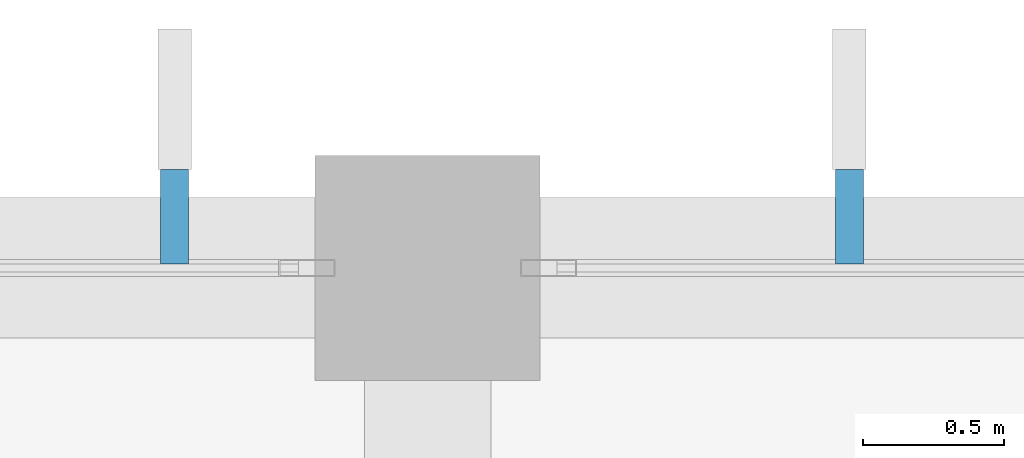
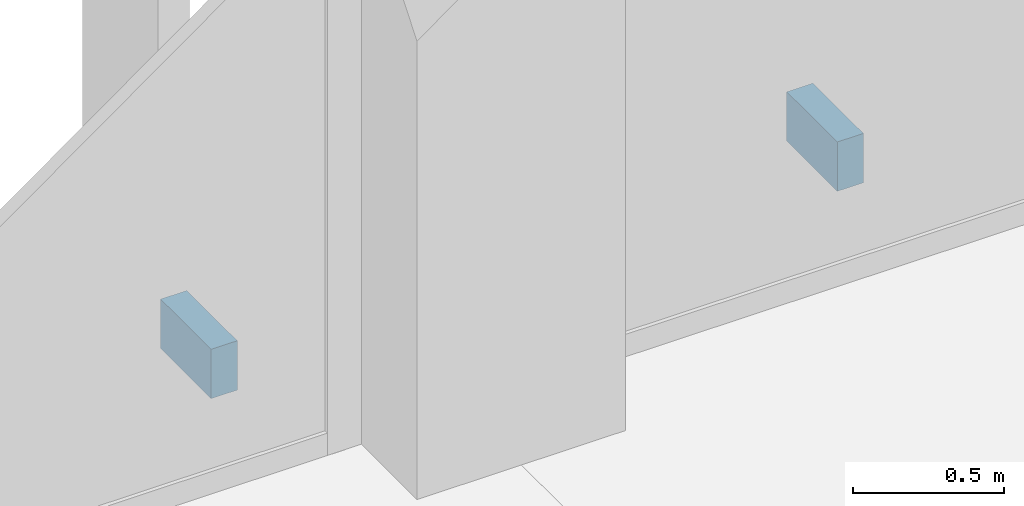
# One storey, part 403 of 437: 2 discrete accessories.
"""IFC4 building model written with IfcOpenShell, lengths in metres."""

import ifcopenshell
import ifcopenshell.guid

model = None  # the IFC model being written
_history = None  # IfcOwnerHistory: only IFC2X3 demands one
_inside = {}  # id of a spatial element -> (the spatial element, [elements in it])
_under = {}  # id of a project, library or spatial element -> (it, [spatial elements below it])
_declared = {}  # id of a project -> (the project, [libraries it declares])
_typed = {}  # id of a type object -> (the type object, [elements of that type])
_made_of = {}  # id of a material, layer set ... -> (it, [elements and type objects made of it])


def new_model(schema):
    """Start an empty IFC model of exactly this schema.

    Asked for "IFC4X3", IfcOpenShell would pick the latest addendum, in which some entities
    have other attributes; the version numbers below select the first issue.
    IFC2X3 requires an IfcOwnerHistory on every rooted entity: one is made here for all.
    """
    global model, _history
    if schema == "IFC4X3":
        model = ifcopenshell.file(schema_version=(4, 3, 0, 0))
    else:
        model = ifcopenshell.file(schema=schema)
    _inside.clear()
    _under.clear()
    _declared.clear()
    _typed.clear()
    _made_of.clear()
    _history = None
    if model.schema == "IFC2X3":
        org = make("IfcOrganization", Name="unknown")
        user = make(
            "IfcPersonAndOrganization",
            ThePerson=make("IfcPerson", FamilyName="unknown"),
            TheOrganization=org,
        )
        app = make(
            "IfcApplication",
            ApplicationDeveloper=org,
            Version="unknown",
            ApplicationFullName="unknown",
            ApplicationIdentifier="unknown",
        )
        _history = make(
            "IfcOwnerHistory",
            OwningUser=user,
            OwningApplication=app,
            ChangeAction="ADDED",
            CreationDate=0,
        )
    return model


def make(cls, **values):
    """One entity of the class cls with the attributes given. An attribute that is None is left unset."""
    return model.create_entity(
        cls, **{name: value for name, value in values.items() if value is not None}
    )


def rooted(cls, **values):
    """An entity with a GlobalId (a new one), such as an element, a storey or a relation."""
    return make(cls, GlobalId=ifcopenshell.guid.new(), OwnerHistory=_history, **values)


def si_unit(unit_type, name, prefix=None):
    """IfcSIUnit, for example si_unit("LENGTHUNIT", "METRE", prefix="MILLI")."""
    return make("IfcSIUnit", UnitType=unit_type, Prefix=prefix, Name=name)


def assignment(units):
    """IfcUnitAssignment: the units of a project."""
    return None if units is None else make("IfcUnitAssignment", Units=units)


def point(xyz):
    """IfcCartesianPoint."""
    return None if xyz is None else make("IfcCartesianPoint", Coordinates=xyz)


def direction(xyz):
    """IfcDirection."""
    return None if xyz is None else make("IfcDirection", DirectionRatios=xyz)


def frame(location, z_axis=None, x_axis=None):
    """IfcAxis2Placement3D, a coordinate frame: its origin and axes. An axis left out is left unset."""
    return make(
        "IfcAxis2Placement3D",
        Location=point(location),
        Axis=direction(z_axis),
        RefDirection=direction(x_axis),
    )


def frame_2d(location, x_axis=None):
    """IfcAxis2Placement2D, a coordinate frame in the plane: its origin and x axis."""
    return make(
        "IfcAxis2Placement2D", Location=point(location), RefDirection=direction(x_axis)
    )


def origin():
    """The frame at (0, 0, 0) with its axes left unset."""
    return frame((0.0, 0.0, 0.0))


def origin_2d():
    """The frame at (0, 0) in the plane with its x axis left unset."""
    return frame_2d((0.0, 0.0))


def place(relative_to, where):
    """IfcLocalPlacement: puts the frame where relative to a parent placement (None: the world)."""
    return make(
        "IfcLocalPlacement", PlacementRelTo=relative_to, RelativePlacement=where
    )


def context(
    kind, dimensions, precision=None, world=None, true_north=None, identifier=None
):
    """IfcGeometricRepresentationContext, for example the 3D "Model" context."""
    return make(
        "IfcGeometricRepresentationContext",
        ContextIdentifier=identifier,
        ContextType=kind,
        CoordinateSpaceDimension=dimensions,
        Precision=precision,
        WorldCoordinateSystem=world,
        TrueNorth=true_north,
    )


def subcontext(parent, identifier, kind, view, scale=None):
    """IfcGeometricRepresentationSubContext, for example "Body" below "Model"."""
    return make(
        "IfcGeometricRepresentationSubContext",
        ContextIdentifier=identifier,
        ContextType=kind,
        ParentContext=parent,
        TargetScale=scale,
        TargetView=view,
    )


def project(units=None, contexts=None):
    """IfcProject with its units and contexts."""
    return rooted(
        "IfcProject",
        Name="project",
        RepresentationContexts=contexts,
        UnitsInContext=assignment(units),
    )


def spatial(cls, under=None, at=None, **own):
    """A site, building, storey or space (cls), placed at a placement, below another one or the project."""
    s = rooted(cls, ObjectPlacement=at, **own)
    if under is not None:
        _under.setdefault(under.id(), (under, []))[1].append(s)
    return s


def profile(cls, at=None, kind="AREA", **sizes):
    """A parametric profile (cls). Its sizes go by their IFC names, for example OverallWidth=200.0."""
    return make(cls, ProfileType=kind, Position=at, **sizes)


def rectangle(**sizes):
    """IfcRectangleProfileDef."""
    return profile("IfcRectangleProfileDef", **sizes)


def extrude(swept, where, along, depth):
    """IfcExtrudedAreaSolid: the profile swept, set in the frame where, extruded along a direction by depth."""
    return make(
        "IfcExtrudedAreaSolid",
        SweptArea=swept,
        Position=where,
        ExtrudedDirection=direction(along),
        Depth=depth,
    )


def shape(context_of_items, identifier, shape_type, items):
    """IfcShapeRepresentation: the items that make up one representation, for example the "Body"."""
    return make(
        "IfcShapeRepresentation",
        ContextOfItems=context_of_items,
        RepresentationIdentifier=identifier,
        RepresentationType=shape_type,
        Items=items,
    )


def material(Name=None, Category=None):
    """IfcMaterial."""
    return make("IfcMaterial", Name=Name, Category=Category)


def made_of(thing, what):
    """Note that an element or type object is made of a material, layer set ...; save() writes the relation."""
    if what is not None:
        _made_of.setdefault(what.id(), (what, []))[1].append(thing)
    return thing


def type_object(cls, material=None, **own):
    """A type object (cls), such as IfcWallType, which elements share."""
    return made_of(rooted(cls, **own), material)


def element(
    cls,
    number,
    at=None,
    inside=None,
    cuts=None,
    type_object=None,
    material=None,
    context=None,
    identifier="Body",
    shape_type=None,
    held_by="IfcProductDefinitionShape",
    body=None,
    shapes=None,
    **own,
):
    """One element of the class cls, such as IfcWall. Its Tag is "e" and its number.

    at: its placement. inside: the storey or other place that contains it. cuts: it is an
    opening in that element (IfcRelVoidsElement). A single representation is given by context,
    identifier, shape_type and body (its items); several are given by shapes. held_by: the class
    of the entity that holds the representations. save() writes the other relations.
    """
    e = rooted(cls, Tag="e%d" % number, ObjectPlacement=at, **own)
    if body is not None:
        shapes = [shape(context, identifier, shape_type, body)]
    if shapes is not None:
        e.Representation = make(held_by, Representations=shapes)
    if inside is not None:
        _inside.setdefault(inside.id(), (inside, []))[1].append(e)
    if cuts is not None:
        rooted(
            "IfcRelVoidsElement", RelatingBuildingElement=cuts, RelatedOpeningElement=e
        )
    if type_object is not None:
        _typed.setdefault(type_object.id(), (type_object, []))[1].append(e)
    return made_of(e, material)


def aggregate(whole, parts):
    """IfcRelAggregates: a whole, such as a stair, and the parts it consists of."""
    return rooted("IfcRelAggregates", RelatingObject=whole, RelatedObjects=parts)


def save(model, path):
    """Write the relations noted so far, then the file.

    IfcRelAggregates (storeys below a building ...), IfcRelContainedInSpatialStructure (elements
    in a storey), IfcRelDefinesByType, IfcRelAssociatesMaterial and IfcRelDeclares: one each for
    every whole, place, type object, material and project.
    """
    for whole, parts in _under.values():
        aggregate(whole, parts)
    for where, things in _inside.values():
        rooted(
            "IfcRelContainedInSpatialStructure",
            RelatedElements=things,
            RelatingStructure=where,
        )
    for kind, things in _typed.values():
        rooted("IfcRelDefinesByType", RelatedObjects=things, RelatingType=kind)
    for what, things in _made_of.values():
        rooted("IfcRelAssociatesMaterial", RelatedObjects=things, RelatingMaterial=what)
    for by, libraries in _declared.values():
        rooted("IfcRelDeclares", RelatingContext=by, RelatedDefinitions=libraries)
    model.write(path)


model = new_model("IFC4")

# Units and contexts
model_context = context("Model", 3, precision=1e-05, world=origin(), true_north=direction((0.0, 1.0)))
body_context = subcontext(model_context, "Body", "Model", "MODEL_VIEW")
ifc_project = project(units=[si_unit("LENGTHUNIT", "METRE"), si_unit("AREAUNIT", "SQUARE_METRE"), si_unit("VOLUMEUNIT", "CUBIC_METRE"), si_unit("PLANEANGLEUNIT", "RADIAN"), si_unit("MASSUNIT", "GRAM", prefix="KILO")], contexts=[model_context])

# Site, building, storey
site_placement = place(None, origin())
site = spatial("IfcSite", under=ifc_project, at=site_placement, CompositionType="ELEMENT")
building_placement = place(site_placement, origin())
building = spatial("IfcBuilding", under=site, at=building_placement, Name="Opaline Strait Convention Centre", CompositionType="ELEMENT")
storey_placement = place(building_placement, frame((0.0, 0.0, 11.5)))
storey = spatial("IfcBuildingStorey", under=building, at=storey_placement, Name="L02", CompositionType="ELEMENT", Elevation=11.5)

# Discrete accessories
ifc_material = material(Name="Stainless steel 304", Category="steel")
discrete_accessory_type = type_object("IfcDiscreteAccessoryType", Name="Fin bracket 150 stainless steel", PredefinedType="BRACKET", material=ifc_material)
for number, where, z_axis, x_axis, name in (
    (1, (323.10009765625, 180.181884765625, 0.35009765625), (0.0, 0.0, 1.0), (1.0, 0.0, 0.0), "Fin bracket"),
    (2, (325.5, 180.181884765625, 0.35009765625), (0.0, 0.0, 1.0), (1.0, 0.0, 0.0), "Fin bracket"),
):
    element("IfcDiscreteAccessory", number, at=place(storey_placement, frame(where, z_axis=z_axis, x_axis=x_axis)), inside=storey, type_object=discrete_accessory_type, Name=name, PredefinedType="BRACKET", context=body_context, shape_type="SweptSolid", body=[
        extrude(rectangle(XDim=0.10009765625, YDim=0.3359375, at=origin_2d()), origin(), (0.0, 0.0, 1.0), 0.199951171875),
    ])

save(model, "model.ifc")
